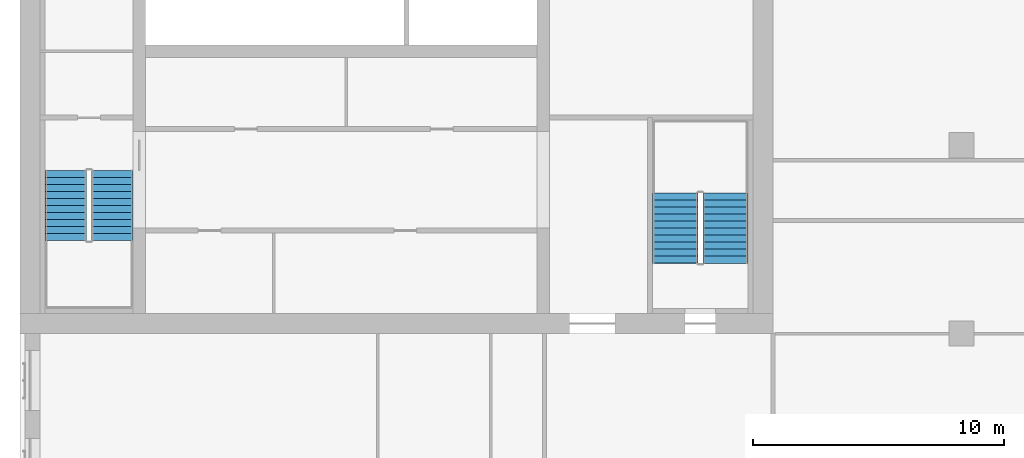
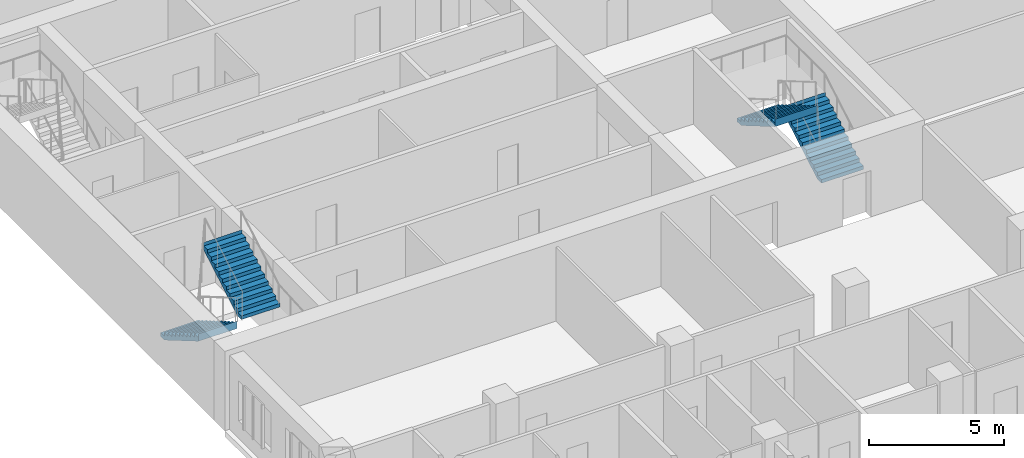
# One storey, part 12 of 14: 4 stair flights, 2 elements without a shape of their own.
"""IFC4 building model written with IfcOpenShell, lengths in metres."""

from ifc_helpers import new_model, si_unit, direction, frame, origin, place, context, subcontext, project, spatial, polyline, outline, extrude, material, type_object, element, aggregate, save


model = new_model("IFC4")

# Units and contexts
model_context = context("Model", 3, precision=1e-05, world=origin(), true_north=direction((0.0, 1.0)))
body_context = subcontext(model_context, "Body", "Model", "MODEL_VIEW")
ifc_project = project(units=[si_unit("LENGTHUNIT", "METRE"), si_unit("AREAUNIT", "SQUARE_METRE"), si_unit("VOLUMEUNIT", "CUBIC_METRE"), si_unit("PLANEANGLEUNIT", "RADIAN"), si_unit("MASSUNIT", "GRAM", prefix="KILO")], contexts=[model_context])

# Site, building, storey
site_placement = place(None, origin())
site = spatial("IfcSite", under=ifc_project, at=site_placement, CompositionType="ELEMENT")
building_placement = place(site_placement, origin())
building = spatial("IfcBuilding", under=site, at=building_placement, Name="Tamorin Gate", CompositionType="ELEMENT")
storey_placement = place(building_placement, frame((0.0, 0.0, 141.0)))
storey = spatial("IfcBuildingStorey", under=building, at=storey_placement, Name="L34", CompositionType="ELEMENT", Elevation=141.0)

# Stair, stair flights
ifc_material = material(Name="Concrete C40/50", Category="concrete")
stair_type = type_object("IfcStairType", Name="Exit stair", PredefinedType="HALF_TURN_STAIR", material=ifc_material)
stair_1_placement = place(storey_placement, origin())
stair_1 = element("IfcStair", 1, at=stair_1_placement, inside=storey, type_object=stair_type, Name="L34 stair ST1", PredefinedType="HALF_TURN_STAIR")
stair_flight_type = type_object("IfcStairFlightType", Name="Exit stair flight", PredefinedType="STRAIGHT", material=ifc_material)
stair_flight_1_placement = place(storey_placement, frame((31.824951171875, 66.5, 0.0), z_axis=(0.0, 0.0, 1.0), x_axis=(0.0, -1.0, 0.0)))
stair_flight_1 = element("IfcStairFlight", 2, at=stair_flight_1_placement, type_object=stair_flight_type, Name="ST1 flight 1", NumberOfRisers=11, NumberOfTreads=10, PredefinedType="STRAIGHT", RiserHeight=0.163636364, TreadLength=0.28, context=body_context, shape_type="SweptSolid", body=[
    extrude(outline(polyline([(-0.00048828125, 0.0), (-0.00048828125, 0.001708984375), (-0.00048828125, 0.003173828125), (-0.00048828125, 0.0048828125), (-0.00048828125, 0.006591796875), (-0.00048828125, 0.008056640625), (-0.00048828125, 0.009765625), (-0.00048828125, 0.01123046875), (-0.00048828125, 0.012939453125), (-0.00048828125, 0.0146484375), (-0.00048828125, 0.01611328125), (-0.00048828125, 0.017822265625), (-0.00048828125, 0.01953125), (-0.00048828125, 0.02099609375), (-0.00048828125, 0.022705078125), (-0.00048828125, 0.0244140625), (-0.00048828125, 0.02587890625), (-0.00048828125, 0.027587890625), (-0.00048828125, 0.029052734375), (-0.00048828125, 0.03076171875), (-0.00048828125, 0.032470703125), (-0.00048828125, 0.033935546875), (-0.00048828125, 0.03564453125), (-0.00048828125, 0.037353515625), (-0.00048828125, 0.038818359375), (-0.00048828125, 0.04052734375), (-0.00048828125, 0.042236328125), (-0.00048828125, 0.043701171875), (-0.00048828125, 0.04541015625), (-0.00048828125, 0.046875), (-0.00048828125, 0.048583984375), (-0.00048828125, 0.05029296875), (-0.00048828125, 0.0517578125), (-0.00048828125, 0.053466796875), (-0.00048828125, 0.05517578125), (-0.00048828125, 0.056640625), (-0.00048828125, 0.058349609375), (-0.00048828125, 0.06005859375), (-0.00048828125, 0.0615234375), (-0.00048828125, 0.063232421875), (-0.00048828125, 0.064697265625), (-0.00048828125, 0.06640625), (-0.00048828125, 0.068115234375), (-0.00048828125, 0.069580078125), (-0.00048828125, 0.0712890625), (-0.00048828125, 0.072998046875), (-0.00048828125, 0.074462890625), (-0.00048828125, 0.076171875), (-0.00048828125, 0.077880859375), (-0.00048828125, 0.079345703125), (-0.00048828125, 0.0810546875), (-0.00048828125, 0.08251953125), (-0.00048828125, 0.084228515625), (-0.00048828125, 0.0859375), (-0.00048828125, 0.08740234375), (-0.00048828125, 0.089111328125), (-0.00048828125, 0.0908203125), (-0.00048828125, 0.09228515625), (-0.00048828125, 0.093994140625), (-0.00048828125, 0.095703125), (-0.00048828125, 0.09716796875), (-0.00048828125, 0.098876953125), (-0.00048828125, 0.100341796875), (-0.00048828125, 0.10205078125), (-0.00048828125, 0.103759765625), (-0.00048828125, 0.105224609375), (-0.00048828125, 0.10693359375), (-0.00048828125, 0.108642578125), (-0.00048828125, 0.110107421875), (-0.00048828125, 0.11181640625), (-0.00048828125, 0.113525390625), (-0.00048828125, 0.114990234375), (-0.00048828125, 0.11669921875), (-0.00048828125, 0.1181640625), (-0.00048828125, 0.119873046875), (-0.00048828125, 0.12158203125), (-0.00048828125, 0.123046875), (-0.00048828125, 0.124755859375), (-0.00048828125, 0.12646484375), (-0.00048828125, 0.1279296875), (-0.00048828125, 0.129638671875), (-0.00048828125, 0.13134765625), (-0.00048828125, 0.1328125), (-0.00048828125, 0.134521484375), (-0.00048828125, 0.135986328125), (-0.00048828125, 0.1376953125), (-0.00048828125, 0.139404296875), (-0.00048828125, 0.140869140625), (-0.00048828125, 0.142578125), (-0.00048828125, 0.144287109375), (-0.00048828125, 0.145751953125), (-0.00048828125, 0.1474609375), (-0.00048828125, 0.149169921875), (-0.00048828125, 0.150634765625), (-0.00048828125, 0.15234375), (-0.00048828125, 0.15380859375), (-0.00048828125, 0.155517578125), (-0.00048828125, 0.1572265625), (-0.00048828125, 0.15869140625), (-0.00048828125, 0.160400390625), (-0.00048828125, 0.162109375), (-0.00048828125, 0.16357421875), (0.280029296875, 0.16357421875), (0.280029296875, 0.327392578125), (0.56005859375, 0.327392578125), (0.56005859375, 0.490966796875), (0.840087890625, 0.490966796875), (0.840087890625, 0.654541015625), (1.1201171875, 0.654541015625), (1.1201171875, 0.818115234375), (1.39990234375, 0.818115234375), (1.39990234375, 0.98193359375), (1.679931640625, 0.98193359375), (1.679931640625, 1.1455078125), (1.9599609375, 1.1455078125), (1.9599609375, 1.30908203125), (2.239990234375, 1.30908203125), (2.239990234375, 1.47265625), (2.52001953125, 1.47265625), (2.52001953125, 1.636474609375), (2.800048828125, 1.636474609375), (2.800048828125, 1.800048828125), (2.800537109375, 1.800048828125), (2.800537109375, 1.796630859375), (2.800537109375, 1.793212890625), (2.800537109375, 1.7900390625), (2.800537109375, 1.78662109375), (2.800537109375, 1.783203125), (2.800537109375, 1.780029296875), (2.800537109375, 1.776611328125), (2.800537109375, 1.773193359375), (2.800537109375, 1.77001953125), (2.800537109375, 1.7666015625), (2.800537109375, 1.76318359375), (2.800537109375, 1.760009765625), (2.800537109375, 1.756591796875), (2.800537109375, 1.753173828125), (2.800537109375, 1.75), (2.800537109375, 1.74658203125), (2.800537109375, 1.7431640625), (2.800537109375, 1.739990234375), (2.800537109375, 1.736572265625), (2.800537109375, 1.733154296875), (2.800537109375, 1.72998046875), (2.800537109375, 1.7265625), (2.800537109375, 1.72314453125), (2.800537109375, 1.719970703125), (2.800537109375, 1.716552734375), (2.800537109375, 1.713134765625), (2.800537109375, 1.7099609375), (2.800537109375, 1.70654296875), (2.800537109375, 1.703125), (2.800537109375, 1.69970703125), (2.800537109375, 1.696533203125), (2.800537109375, 1.693115234375), (2.800537109375, 1.689697265625), (2.800537109375, 1.6865234375), (2.800537109375, 1.68310546875), (2.800537109375, 1.6796875), (2.800537109375, 1.676513671875), (2.800537109375, 1.673095703125), (2.800537109375, 1.669677734375), (2.800537109375, 1.66650390625), (2.800537109375, 1.6630859375), (2.800537109375, 1.65966796875), (2.800537109375, 1.656494140625), (2.800537109375, 1.653076171875), (2.800537109375, 1.649658203125), (2.800537109375, 1.646484375), (2.800537109375, 1.64306640625), (2.800537109375, 1.6396484375), (2.800537109375, 1.636474609375), (2.800537109375, 1.633056640625), (2.800537109375, 1.629638671875), (2.800537109375, 1.62646484375), (2.800537109375, 1.623046875), (2.800537109375, 1.61962890625), (2.800537109375, 1.616455078125), (2.800537109375, 1.613037109375), (2.800537109375, 1.609619140625), (2.800537109375, 1.6064453125), (2.800537109375, 1.60302734375), (2.800537109375, 1.599609375), (2.800537109375, 1.59619140625), (2.800537109375, 1.593017578125), (2.800537109375, 1.589599609375), (2.800537109375, 1.586181640625), (2.800537109375, 1.5830078125), (2.800537109375, 1.57958984375), (2.800537109375, 1.576171875), (2.800537109375, 1.572998046875), (2.800537109375, 1.569580078125), (2.800537109375, 1.566162109375), (2.800537109375, 1.56298828125), (2.800537109375, 1.5595703125), (2.800537109375, 1.55615234375), (2.800537109375, 1.552978515625), (2.800537109375, 1.549560546875), (2.800537109375, 1.546142578125), (2.800537109375, 1.54296875), (2.800537109375, 1.53955078125), (2.800537109375, 1.5361328125), (2.800537109375, 1.532958984375), (2.800537109375, 1.529541015625), (2.800537109375, 1.526123046875), (2.800537109375, 1.52294921875), (2.800537109375, 1.51953125), (2.800537109375, 1.51611328125), (2.800537109375, 1.512939453125), (2.800537109375, 1.509521484375), (2.800537109375, 1.506103515625), (2.800537109375, 1.5029296875), (2.800537109375, 1.49951171875), (2.800537109375, 1.49609375), (2.800537109375, 1.49267578125), (2.800537109375, 1.489501953125), (2.800537109375, 1.486083984375), (2.800537109375, 1.482666015625), (2.800537109375, 1.4794921875), (2.800537109375, 1.47607421875), (2.800537109375, 1.47265625), (2.800537109375, 1.469482421875), (2.800537109375, 1.466064453125), (2.800537109375, 1.462646484375), (2.800048828125, 1.462646484375), (0.297119140625, 0.0), (-0.00048828125, 0.0)])), frame((0.0, 0.824951171875, 0.0), z_axis=(0.0, -1.0, 0.0), x_axis=(1.0, 0.0, 0.0)), (0.0, 0.0, 1.0), 1.64990234375),
])
stair_flight_2_placement = place(storey_placement, frame((33.675048828125, 63.699951171875, 1.800048828125), z_axis=(0.0, 0.0, 1.0), x_axis=(0.0, 1.0, 0.0)))
stair_flight_2 = element("IfcStairFlight", 3, at=stair_flight_2_placement, type_object=stair_flight_type, Name="ST1 flight 2", NumberOfRisers=11, NumberOfTreads=10, PredefinedType="STRAIGHT", RiserHeight=0.163636364, TreadLength=0.28, context=body_context, shape_type="SweptSolid", body=[
    extrude(outline(polyline([(-0.00048828125, 0.0), (-0.00048828125, 0.001708984375), (-0.00048828125, 0.003173828125), (-0.00048828125, 0.0048828125), (-0.00048828125, 0.006591796875), (-0.00048828125, 0.008056640625), (-0.00048828125, 0.009765625), (-0.00048828125, 0.01123046875), (-0.00048828125, 0.012939453125), (-0.00048828125, 0.0146484375), (-0.00048828125, 0.01611328125), (-0.00048828125, 0.017822265625), (-0.00048828125, 0.01953125), (-0.00048828125, 0.02099609375), (-0.00048828125, 0.022705078125), (-0.00048828125, 0.0244140625), (-0.00048828125, 0.02587890625), (-0.00048828125, 0.027587890625), (-0.00048828125, 0.029052734375), (-0.00048828125, 0.03076171875), (-0.00048828125, 0.032470703125), (-0.00048828125, 0.033935546875), (-0.00048828125, 0.03564453125), (-0.00048828125, 0.037353515625), (-0.00048828125, 0.038818359375), (-0.00048828125, 0.04052734375), (-0.00048828125, 0.042236328125), (-0.00048828125, 0.043701171875), (-0.00048828125, 0.04541015625), (-0.00048828125, 0.046875), (-0.00048828125, 0.048583984375), (-0.00048828125, 0.05029296875), (-0.00048828125, 0.0517578125), (-0.00048828125, 0.053466796875), (-0.00048828125, 0.05517578125), (-0.00048828125, 0.056640625), (-0.00048828125, 0.058349609375), (-0.00048828125, 0.06005859375), (-0.00048828125, 0.0615234375), (-0.00048828125, 0.063232421875), (-0.00048828125, 0.064697265625), (-0.00048828125, 0.06640625), (-0.00048828125, 0.068115234375), (-0.00048828125, 0.069580078125), (-0.00048828125, 0.0712890625), (-0.00048828125, 0.072998046875), (-0.00048828125, 0.074462890625), (-0.00048828125, 0.076171875), (-0.00048828125, 0.077880859375), (-0.00048828125, 0.079345703125), (-0.00048828125, 0.0810546875), (-0.00048828125, 0.08251953125), (-0.00048828125, 0.084228515625), (-0.00048828125, 0.0859375), (-0.00048828125, 0.08740234375), (-0.00048828125, 0.089111328125), (-0.00048828125, 0.0908203125), (-0.00048828125, 0.09228515625), (-0.00048828125, 0.093994140625), (-0.00048828125, 0.095703125), (-0.00048828125, 0.09716796875), (-0.00048828125, 0.098876953125), (-0.00048828125, 0.100341796875), (-0.00048828125, 0.10205078125), (-0.00048828125, 0.103759765625), (-0.00048828125, 0.105224609375), (-0.00048828125, 0.10693359375), (-0.00048828125, 0.108642578125), (-0.00048828125, 0.110107421875), (-0.00048828125, 0.11181640625), (-0.00048828125, 0.113525390625), (-0.00048828125, 0.114990234375), (-0.00048828125, 0.11669921875), (-0.00048828125, 0.1181640625), (-0.00048828125, 0.119873046875), (-0.00048828125, 0.12158203125), (-0.00048828125, 0.123046875), (-0.00048828125, 0.124755859375), (-0.00048828125, 0.12646484375), (-0.00048828125, 0.1279296875), (-0.00048828125, 0.129638671875), (-0.00048828125, 0.13134765625), (-0.00048828125, 0.1328125), (-0.00048828125, 0.134521484375), (-0.00048828125, 0.135986328125), (-0.00048828125, 0.1376953125), (-0.00048828125, 0.139404296875), (-0.00048828125, 0.140869140625), (-0.00048828125, 0.142578125), (-0.00048828125, 0.144287109375), (-0.00048828125, 0.145751953125), (-0.00048828125, 0.1474609375), (-0.00048828125, 0.149169921875), (-0.00048828125, 0.150634765625), (-0.00048828125, 0.15234375), (-0.00048828125, 0.15380859375), (-0.00048828125, 0.155517578125), (-0.00048828125, 0.1572265625), (-0.00048828125, 0.15869140625), (-0.00048828125, 0.160400390625), (-0.00048828125, 0.162109375), (-0.00048828125, 0.16357421875), (0.280029296875, 0.16357421875), (0.280029296875, 0.327392578125), (0.56005859375, 0.327392578125), (0.56005859375, 0.490966796875), (0.840087890625, 0.490966796875), (0.840087890625, 0.654541015625), (1.1201171875, 0.654541015625), (1.1201171875, 0.818115234375), (1.39990234375, 0.818115234375), (1.39990234375, 0.98193359375), (1.679931640625, 0.98193359375), (1.679931640625, 1.1455078125), (1.9599609375, 1.1455078125), (1.9599609375, 1.30908203125), (2.239990234375, 1.30908203125), (2.239990234375, 1.47265625), (2.52001953125, 1.47265625), (2.52001953125, 1.636474609375), (2.800048828125, 1.636474609375), (2.800048828125, 1.800048828125), (2.800537109375, 1.800048828125), (2.800537109375, 1.796630859375), (2.800537109375, 1.793212890625), (2.800537109375, 1.7900390625), (2.800537109375, 1.78662109375), (2.800537109375, 1.783203125), (2.800537109375, 1.780029296875), (2.800537109375, 1.776611328125), (2.800537109375, 1.773193359375), (2.800537109375, 1.77001953125), (2.800537109375, 1.7666015625), (2.800537109375, 1.76318359375), (2.800537109375, 1.760009765625), (2.800537109375, 1.756591796875), (2.800537109375, 1.753173828125), (2.800537109375, 1.75), (2.800537109375, 1.74658203125), (2.800537109375, 1.7431640625), (2.800537109375, 1.739990234375), (2.800537109375, 1.736572265625), (2.800537109375, 1.733154296875), (2.800537109375, 1.72998046875), (2.800537109375, 1.7265625), (2.800537109375, 1.72314453125), (2.800537109375, 1.719970703125), (2.800537109375, 1.716552734375), (2.800537109375, 1.713134765625), (2.800537109375, 1.7099609375), (2.800537109375, 1.70654296875), (2.800537109375, 1.703125), (2.800537109375, 1.69970703125), (2.800537109375, 1.696533203125), (2.800537109375, 1.693115234375), (2.800537109375, 1.689697265625), (2.800537109375, 1.6865234375), (2.800537109375, 1.68310546875), (2.800537109375, 1.6796875), (2.800537109375, 1.676513671875), (2.800537109375, 1.673095703125), (2.800537109375, 1.669677734375), (2.800537109375, 1.66650390625), (2.800537109375, 1.6630859375), (2.800537109375, 1.65966796875), (2.800537109375, 1.656494140625), (2.800537109375, 1.653076171875), (2.800537109375, 1.649658203125), (2.800537109375, 1.646484375), (2.800537109375, 1.64306640625), (2.800537109375, 1.6396484375), (2.800537109375, 1.636474609375), (2.800537109375, 1.633056640625), (2.800537109375, 1.629638671875), (2.800537109375, 1.62646484375), (2.800537109375, 1.623046875), (2.800537109375, 1.61962890625), (2.800537109375, 1.616455078125), (2.800537109375, 1.613037109375), (2.800537109375, 1.609619140625), (2.800537109375, 1.6064453125), (2.800537109375, 1.60302734375), (2.800537109375, 1.599609375), (2.800537109375, 1.59619140625), (2.800537109375, 1.593017578125), (2.800537109375, 1.589599609375), (2.800537109375, 1.586181640625), (2.800537109375, 1.5830078125), (2.800537109375, 1.57958984375), (2.800537109375, 1.576171875), (2.800537109375, 1.572998046875), (2.800537109375, 1.569580078125), (2.800537109375, 1.566162109375), (2.800537109375, 1.56298828125), (2.800537109375, 1.5595703125), (2.800537109375, 1.55615234375), (2.800537109375, 1.552978515625), (2.800537109375, 1.549560546875), (2.800537109375, 1.546142578125), (2.800537109375, 1.54296875), (2.800537109375, 1.53955078125), (2.800537109375, 1.5361328125), (2.800537109375, 1.532958984375), (2.800537109375, 1.529541015625), (2.800537109375, 1.526123046875), (2.800537109375, 1.52294921875), (2.800537109375, 1.51953125), (2.800537109375, 1.51611328125), (2.800537109375, 1.512939453125), (2.800537109375, 1.509521484375), (2.800537109375, 1.506103515625), (2.800537109375, 1.5029296875), (2.800537109375, 1.49951171875), (2.800537109375, 1.49609375), (2.800537109375, 1.49267578125), (2.800537109375, 1.489501953125), (2.800537109375, 1.486083984375), (2.800537109375, 1.482666015625), (2.800537109375, 1.4794921875), (2.800537109375, 1.47607421875), (2.800537109375, 1.47265625), (2.800537109375, 1.469482421875), (2.800537109375, 1.466064453125), (2.800537109375, 1.462646484375), (2.800048828125, 1.462646484375), (0.297119140625, 0.0), (-0.00048828125, 0.0)])), frame((0.0, 0.824951171875, 0.0), z_axis=(0.0, -1.0, 0.0), x_axis=(1.0, 0.0, 0.0)), (0.0, 0.0, 1.0), 1.64990234375),
])
aggregate(stair_1, [stair_flight_1, stair_flight_2])

stair_2_placement = place(storey_placement, origin())
stair_2 = element("IfcStair", 4, at=stair_2_placement, inside=storey, type_object=stair_type, Name="L34 stair ST3", PredefinedType="HALF_TURN_STAIR")
stair_flight_3_placement = place(storey_placement, frame((58.10009765625, 62.800048828125, 0.0), z_axis=(0.0, 0.0, 1.0), x_axis=(0.0, 1.0, 0.0)))
stair_flight_3 = element("IfcStairFlight", 5, at=stair_flight_3_placement, type_object=stair_flight_type, Name="ST3 flight 1", NumberOfRisers=11, NumberOfTreads=10, PredefinedType="STRAIGHT", RiserHeight=0.163636364, TreadLength=0.28, context=body_context, shape_type="SweptSolid", body=[
    extrude(outline(polyline([(-0.00048828125, 0.0), (-0.00048828125, 0.001708984375), (-0.00048828125, 0.003173828125), (-0.00048828125, 0.0048828125), (-0.00048828125, 0.006591796875), (-0.00048828125, 0.008056640625), (-0.00048828125, 0.009765625), (-0.00048828125, 0.01123046875), (-0.00048828125, 0.012939453125), (-0.00048828125, 0.0146484375), (-0.00048828125, 0.01611328125), (-0.00048828125, 0.017822265625), (-0.00048828125, 0.01953125), (-0.00048828125, 0.02099609375), (-0.00048828125, 0.022705078125), (-0.00048828125, 0.0244140625), (-0.00048828125, 0.02587890625), (-0.00048828125, 0.027587890625), (-0.00048828125, 0.029052734375), (-0.00048828125, 0.03076171875), (-0.00048828125, 0.032470703125), (-0.00048828125, 0.033935546875), (-0.00048828125, 0.03564453125), (-0.00048828125, 0.037353515625), (-0.00048828125, 0.038818359375), (-0.00048828125, 0.04052734375), (-0.00048828125, 0.042236328125), (-0.00048828125, 0.043701171875), (-0.00048828125, 0.04541015625), (-0.00048828125, 0.046875), (-0.00048828125, 0.048583984375), (-0.00048828125, 0.05029296875), (-0.00048828125, 0.0517578125), (-0.00048828125, 0.053466796875), (-0.00048828125, 0.05517578125), (-0.00048828125, 0.056640625), (-0.00048828125, 0.058349609375), (-0.00048828125, 0.06005859375), (-0.00048828125, 0.0615234375), (-0.00048828125, 0.063232421875), (-0.00048828125, 0.064697265625), (-0.00048828125, 0.06640625), (-0.00048828125, 0.068115234375), (-0.00048828125, 0.069580078125), (-0.00048828125, 0.0712890625), (-0.00048828125, 0.072998046875), (-0.00048828125, 0.074462890625), (-0.00048828125, 0.076171875), (-0.00048828125, 0.077880859375), (-0.00048828125, 0.079345703125), (-0.00048828125, 0.0810546875), (-0.00048828125, 0.08251953125), (-0.00048828125, 0.084228515625), (-0.00048828125, 0.0859375), (-0.00048828125, 0.08740234375), (-0.00048828125, 0.089111328125), (-0.00048828125, 0.0908203125), (-0.00048828125, 0.09228515625), (-0.00048828125, 0.093994140625), (-0.00048828125, 0.095703125), (-0.00048828125, 0.09716796875), (-0.00048828125, 0.098876953125), (-0.00048828125, 0.100341796875), (-0.00048828125, 0.10205078125), (-0.00048828125, 0.103759765625), (-0.00048828125, 0.105224609375), (-0.00048828125, 0.10693359375), (-0.00048828125, 0.108642578125), (-0.00048828125, 0.110107421875), (-0.00048828125, 0.11181640625), (-0.00048828125, 0.113525390625), (-0.00048828125, 0.114990234375), (-0.00048828125, 0.11669921875), (-0.00048828125, 0.1181640625), (-0.00048828125, 0.119873046875), (-0.00048828125, 0.12158203125), (-0.00048828125, 0.123046875), (-0.00048828125, 0.124755859375), (-0.00048828125, 0.12646484375), (-0.00048828125, 0.1279296875), (-0.00048828125, 0.129638671875), (-0.00048828125, 0.13134765625), (-0.00048828125, 0.1328125), (-0.00048828125, 0.134521484375), (-0.00048828125, 0.135986328125), (-0.00048828125, 0.1376953125), (-0.00048828125, 0.139404296875), (-0.00048828125, 0.140869140625), (-0.00048828125, 0.142578125), (-0.00048828125, 0.144287109375), (-0.00048828125, 0.145751953125), (-0.00048828125, 0.1474609375), (-0.00048828125, 0.149169921875), (-0.00048828125, 0.150634765625), (-0.00048828125, 0.15234375), (-0.00048828125, 0.15380859375), (-0.00048828125, 0.155517578125), (-0.00048828125, 0.1572265625), (-0.00048828125, 0.15869140625), (-0.00048828125, 0.160400390625), (-0.00048828125, 0.162109375), (-0.00048828125, 0.16357421875), (0.280029296875, 0.16357421875), (0.280029296875, 0.327392578125), (0.56005859375, 0.327392578125), (0.56005859375, 0.490966796875), (0.840087890625, 0.490966796875), (0.840087890625, 0.654541015625), (1.1201171875, 0.654541015625), (1.1201171875, 0.818115234375), (1.39990234375, 0.818115234375), (1.39990234375, 0.98193359375), (1.679931640625, 0.98193359375), (1.679931640625, 1.1455078125), (1.9599609375, 1.1455078125), (1.9599609375, 1.30908203125), (2.239990234375, 1.30908203125), (2.239990234375, 1.47265625), (2.52001953125, 1.47265625), (2.52001953125, 1.636474609375), (2.800048828125, 1.636474609375), (2.800048828125, 1.800048828125), (2.800537109375, 1.800048828125), (2.800537109375, 1.796630859375), (2.800537109375, 1.793212890625), (2.800537109375, 1.7900390625), (2.800537109375, 1.78662109375), (2.800537109375, 1.783203125), (2.800537109375, 1.780029296875), (2.800537109375, 1.776611328125), (2.800537109375, 1.773193359375), (2.800537109375, 1.77001953125), (2.800537109375, 1.7666015625), (2.800537109375, 1.76318359375), (2.800537109375, 1.760009765625), (2.800537109375, 1.756591796875), (2.800537109375, 1.753173828125), (2.800537109375, 1.75), (2.800537109375, 1.74658203125), (2.800537109375, 1.7431640625), (2.800537109375, 1.739990234375), (2.800537109375, 1.736572265625), (2.800537109375, 1.733154296875), (2.800537109375, 1.72998046875), (2.800537109375, 1.7265625), (2.800537109375, 1.72314453125), (2.800537109375, 1.719970703125), (2.800537109375, 1.716552734375), (2.800537109375, 1.713134765625), (2.800537109375, 1.7099609375), (2.800537109375, 1.70654296875), (2.800537109375, 1.703125), (2.800537109375, 1.69970703125), (2.800537109375, 1.696533203125), (2.800537109375, 1.693115234375), (2.800537109375, 1.689697265625), (2.800537109375, 1.6865234375), (2.800537109375, 1.68310546875), (2.800537109375, 1.6796875), (2.800537109375, 1.676513671875), (2.800537109375, 1.673095703125), (2.800537109375, 1.669677734375), (2.800537109375, 1.66650390625), (2.800537109375, 1.6630859375), (2.800537109375, 1.65966796875), (2.800537109375, 1.656494140625), (2.800537109375, 1.653076171875), (2.800537109375, 1.649658203125), (2.800537109375, 1.646484375), (2.800537109375, 1.64306640625), (2.800537109375, 1.6396484375), (2.800537109375, 1.636474609375), (2.800537109375, 1.633056640625), (2.800537109375, 1.629638671875), (2.800537109375, 1.62646484375), (2.800537109375, 1.623046875), (2.800537109375, 1.61962890625), (2.800537109375, 1.616455078125), (2.800537109375, 1.613037109375), (2.800537109375, 1.609619140625), (2.800537109375, 1.6064453125), (2.800537109375, 1.60302734375), (2.800537109375, 1.599609375), (2.800537109375, 1.59619140625), (2.800537109375, 1.593017578125), (2.800537109375, 1.589599609375), (2.800537109375, 1.586181640625), (2.800537109375, 1.5830078125), (2.800537109375, 1.57958984375), (2.800537109375, 1.576171875), (2.800537109375, 1.572998046875), (2.800537109375, 1.569580078125), (2.800537109375, 1.566162109375), (2.800537109375, 1.56298828125), (2.800537109375, 1.5595703125), (2.800537109375, 1.55615234375), (2.800537109375, 1.552978515625), (2.800537109375, 1.549560546875), (2.800537109375, 1.546142578125), (2.800537109375, 1.54296875), (2.800537109375, 1.53955078125), (2.800537109375, 1.5361328125), (2.800537109375, 1.532958984375), (2.800537109375, 1.529541015625), (2.800537109375, 1.526123046875), (2.800537109375, 1.52294921875), (2.800537109375, 1.51953125), (2.800537109375, 1.51611328125), (2.800537109375, 1.512939453125), (2.800537109375, 1.509521484375), (2.800537109375, 1.506103515625), (2.800537109375, 1.5029296875), (2.800537109375, 1.49951171875), (2.800537109375, 1.49609375), (2.800537109375, 1.49267578125), (2.800537109375, 1.489501953125), (2.800537109375, 1.486083984375), (2.800537109375, 1.482666015625), (2.800537109375, 1.4794921875), (2.800537109375, 1.47607421875), (2.800537109375, 1.47265625), (2.800537109375, 1.469482421875), (2.800537109375, 1.466064453125), (2.800537109375, 1.462646484375), (2.800048828125, 1.462646484375), (0.297119140625, 0.0), (-0.00048828125, 0.0)])), frame((0.0, 0.89990234375, 0.0), z_axis=(0.0, -1.0, 0.0), x_axis=(1.0, 0.0, 0.0)), (0.0, 0.0, 1.0), 1.800048828125),
])
stair_flight_4_placement = place(storey_placement, frame((56.10009765625, 65.60009765625, 1.800048828125), z_axis=(0.0, 0.0, 1.0), x_axis=(0.0, -1.0, 0.0)))
stair_flight_4 = element("IfcStairFlight", 6, at=stair_flight_4_placement, type_object=stair_flight_type, Name="ST3 flight 2", NumberOfRisers=11, NumberOfTreads=10, PredefinedType="STRAIGHT", RiserHeight=0.163636364, TreadLength=0.28, context=body_context, shape_type="SweptSolid", body=[
    extrude(outline(polyline([(-0.00048828125, 0.0), (-0.00048828125, 0.001708984375), (-0.00048828125, 0.003173828125), (-0.00048828125, 0.0048828125), (-0.00048828125, 0.006591796875), (-0.00048828125, 0.008056640625), (-0.00048828125, 0.009765625), (-0.00048828125, 0.01123046875), (-0.00048828125, 0.012939453125), (-0.00048828125, 0.0146484375), (-0.00048828125, 0.01611328125), (-0.00048828125, 0.017822265625), (-0.00048828125, 0.01953125), (-0.00048828125, 0.02099609375), (-0.00048828125, 0.022705078125), (-0.00048828125, 0.0244140625), (-0.00048828125, 0.02587890625), (-0.00048828125, 0.027587890625), (-0.00048828125, 0.029052734375), (-0.00048828125, 0.03076171875), (-0.00048828125, 0.032470703125), (-0.00048828125, 0.033935546875), (-0.00048828125, 0.03564453125), (-0.00048828125, 0.037353515625), (-0.00048828125, 0.038818359375), (-0.00048828125, 0.04052734375), (-0.00048828125, 0.042236328125), (-0.00048828125, 0.043701171875), (-0.00048828125, 0.04541015625), (-0.00048828125, 0.046875), (-0.00048828125, 0.048583984375), (-0.00048828125, 0.05029296875), (-0.00048828125, 0.0517578125), (-0.00048828125, 0.053466796875), (-0.00048828125, 0.05517578125), (-0.00048828125, 0.056640625), (-0.00048828125, 0.058349609375), (-0.00048828125, 0.06005859375), (-0.00048828125, 0.0615234375), (-0.00048828125, 0.063232421875), (-0.00048828125, 0.064697265625), (-0.00048828125, 0.06640625), (-0.00048828125, 0.068115234375), (-0.00048828125, 0.069580078125), (-0.00048828125, 0.0712890625), (-0.00048828125, 0.072998046875), (-0.00048828125, 0.074462890625), (-0.00048828125, 0.076171875), (-0.00048828125, 0.077880859375), (-0.00048828125, 0.079345703125), (-0.00048828125, 0.0810546875), (-0.00048828125, 0.08251953125), (-0.00048828125, 0.084228515625), (-0.00048828125, 0.0859375), (-0.00048828125, 0.08740234375), (-0.00048828125, 0.089111328125), (-0.00048828125, 0.0908203125), (-0.00048828125, 0.09228515625), (-0.00048828125, 0.093994140625), (-0.00048828125, 0.095703125), (-0.00048828125, 0.09716796875), (-0.00048828125, 0.098876953125), (-0.00048828125, 0.100341796875), (-0.00048828125, 0.10205078125), (-0.00048828125, 0.103759765625), (-0.00048828125, 0.105224609375), (-0.00048828125, 0.10693359375), (-0.00048828125, 0.108642578125), (-0.00048828125, 0.110107421875), (-0.00048828125, 0.11181640625), (-0.00048828125, 0.113525390625), (-0.00048828125, 0.114990234375), (-0.00048828125, 0.11669921875), (-0.00048828125, 0.1181640625), (-0.00048828125, 0.119873046875), (-0.00048828125, 0.12158203125), (-0.00048828125, 0.123046875), (-0.00048828125, 0.124755859375), (-0.00048828125, 0.12646484375), (-0.00048828125, 0.1279296875), (-0.00048828125, 0.129638671875), (-0.00048828125, 0.13134765625), (-0.00048828125, 0.1328125), (-0.00048828125, 0.134521484375), (-0.00048828125, 0.135986328125), (-0.00048828125, 0.1376953125), (-0.00048828125, 0.139404296875), (-0.00048828125, 0.140869140625), (-0.00048828125, 0.142578125), (-0.00048828125, 0.144287109375), (-0.00048828125, 0.145751953125), (-0.00048828125, 0.1474609375), (-0.00048828125, 0.149169921875), (-0.00048828125, 0.150634765625), (-0.00048828125, 0.15234375), (-0.00048828125, 0.15380859375), (-0.00048828125, 0.155517578125), (-0.00048828125, 0.1572265625), (-0.00048828125, 0.15869140625), (-0.00048828125, 0.160400390625), (-0.00048828125, 0.162109375), (-0.00048828125, 0.16357421875), (0.280029296875, 0.16357421875), (0.280029296875, 0.327392578125), (0.56005859375, 0.327392578125), (0.56005859375, 0.490966796875), (0.840087890625, 0.490966796875), (0.840087890625, 0.654541015625), (1.1201171875, 0.654541015625), (1.1201171875, 0.818115234375), (1.39990234375, 0.818115234375), (1.39990234375, 0.98193359375), (1.679931640625, 0.98193359375), (1.679931640625, 1.1455078125), (1.9599609375, 1.1455078125), (1.9599609375, 1.30908203125), (2.239990234375, 1.30908203125), (2.239990234375, 1.47265625), (2.52001953125, 1.47265625), (2.52001953125, 1.636474609375), (2.800048828125, 1.636474609375), (2.800048828125, 1.800048828125), (2.800537109375, 1.800048828125), (2.800537109375, 1.796630859375), (2.800537109375, 1.793212890625), (2.800537109375, 1.7900390625), (2.800537109375, 1.78662109375), (2.800537109375, 1.783203125), (2.800537109375, 1.780029296875), (2.800537109375, 1.776611328125), (2.800537109375, 1.773193359375), (2.800537109375, 1.77001953125), (2.800537109375, 1.7666015625), (2.800537109375, 1.76318359375), (2.800537109375, 1.760009765625), (2.800537109375, 1.756591796875), (2.800537109375, 1.753173828125), (2.800537109375, 1.75), (2.800537109375, 1.74658203125), (2.800537109375, 1.7431640625), (2.800537109375, 1.739990234375), (2.800537109375, 1.736572265625), (2.800537109375, 1.733154296875), (2.800537109375, 1.72998046875), (2.800537109375, 1.7265625), (2.800537109375, 1.72314453125), (2.800537109375, 1.719970703125), (2.800537109375, 1.716552734375), (2.800537109375, 1.713134765625), (2.800537109375, 1.7099609375), (2.800537109375, 1.70654296875), (2.800537109375, 1.703125), (2.800537109375, 1.69970703125), (2.800537109375, 1.696533203125), (2.800537109375, 1.693115234375), (2.800537109375, 1.689697265625), (2.800537109375, 1.6865234375), (2.800537109375, 1.68310546875), (2.800537109375, 1.6796875), (2.800537109375, 1.676513671875), (2.800537109375, 1.673095703125), (2.800537109375, 1.669677734375), (2.800537109375, 1.66650390625), (2.800537109375, 1.6630859375), (2.800537109375, 1.65966796875), (2.800537109375, 1.656494140625), (2.800537109375, 1.653076171875), (2.800537109375, 1.649658203125), (2.800537109375, 1.646484375), (2.800537109375, 1.64306640625), (2.800537109375, 1.6396484375), (2.800537109375, 1.636474609375), (2.800537109375, 1.633056640625), (2.800537109375, 1.629638671875), (2.800537109375, 1.62646484375), (2.800537109375, 1.623046875), (2.800537109375, 1.61962890625), (2.800537109375, 1.616455078125), (2.800537109375, 1.613037109375), (2.800537109375, 1.609619140625), (2.800537109375, 1.6064453125), (2.800537109375, 1.60302734375), (2.800537109375, 1.599609375), (2.800537109375, 1.59619140625), (2.800537109375, 1.593017578125), (2.800537109375, 1.589599609375), (2.800537109375, 1.586181640625), (2.800537109375, 1.5830078125), (2.800537109375, 1.57958984375), (2.800537109375, 1.576171875), (2.800537109375, 1.572998046875), (2.800537109375, 1.569580078125), (2.800537109375, 1.566162109375), (2.800537109375, 1.56298828125), (2.800537109375, 1.5595703125), (2.800537109375, 1.55615234375), (2.800537109375, 1.552978515625), (2.800537109375, 1.549560546875), (2.800537109375, 1.546142578125), (2.800537109375, 1.54296875), (2.800537109375, 1.53955078125), (2.800537109375, 1.5361328125), (2.800537109375, 1.532958984375), (2.800537109375, 1.529541015625), (2.800537109375, 1.526123046875), (2.800537109375, 1.52294921875), (2.800537109375, 1.51953125), (2.800537109375, 1.51611328125), (2.800537109375, 1.512939453125), (2.800537109375, 1.509521484375), (2.800537109375, 1.506103515625), (2.800537109375, 1.5029296875), (2.800537109375, 1.49951171875), (2.800537109375, 1.49609375), (2.800537109375, 1.49267578125), (2.800537109375, 1.489501953125), (2.800537109375, 1.486083984375), (2.800537109375, 1.482666015625), (2.800537109375, 1.4794921875), (2.800537109375, 1.47607421875), (2.800537109375, 1.47265625), (2.800537109375, 1.469482421875), (2.800537109375, 1.466064453125), (2.800537109375, 1.462646484375), (2.800048828125, 1.462646484375), (0.297119140625, 0.0), (-0.00048828125, 0.0)])), frame((0.0, 0.89990234375, 0.0), z_axis=(0.0, -1.0, 0.0), x_axis=(1.0, 0.0, 0.0)), (0.0, 0.0, 1.0), 1.800048828125),
])
aggregate(stair_2, [stair_flight_3, stair_flight_4])

save(model, "model.ifc")
